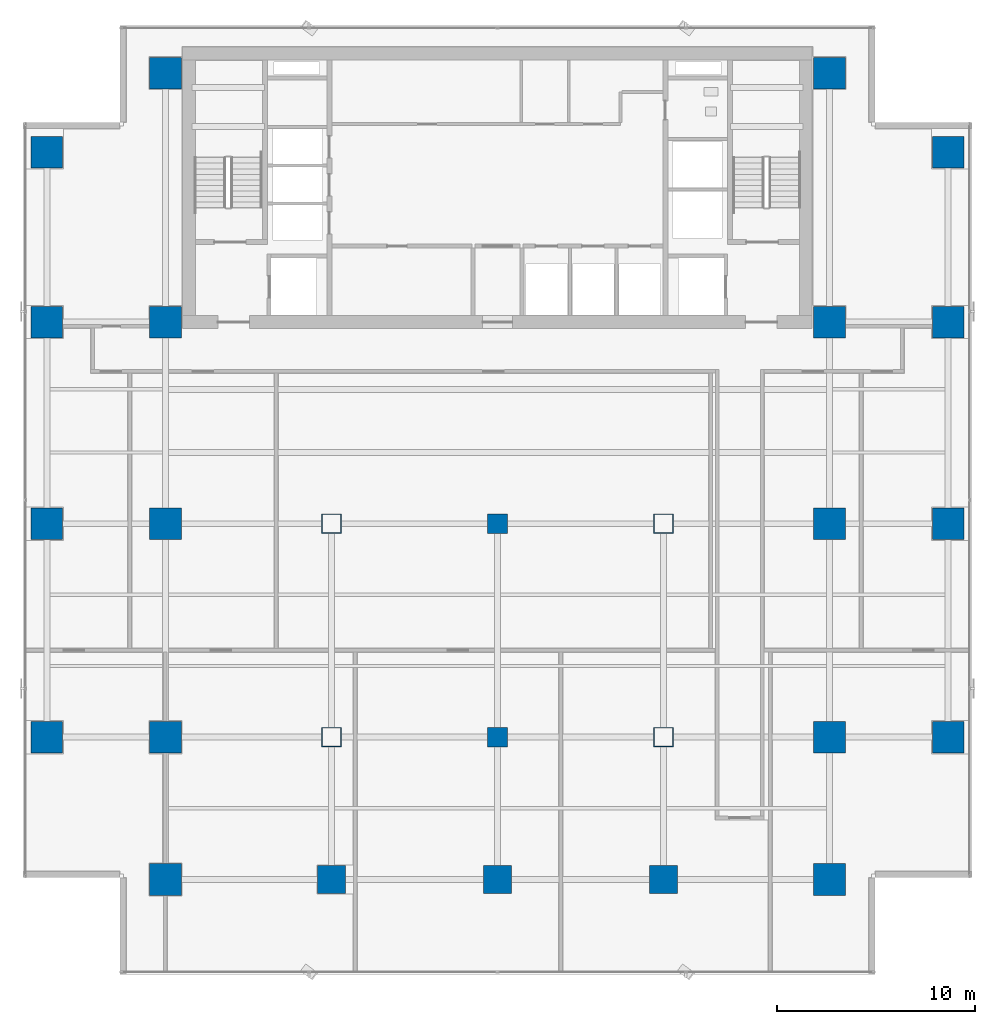
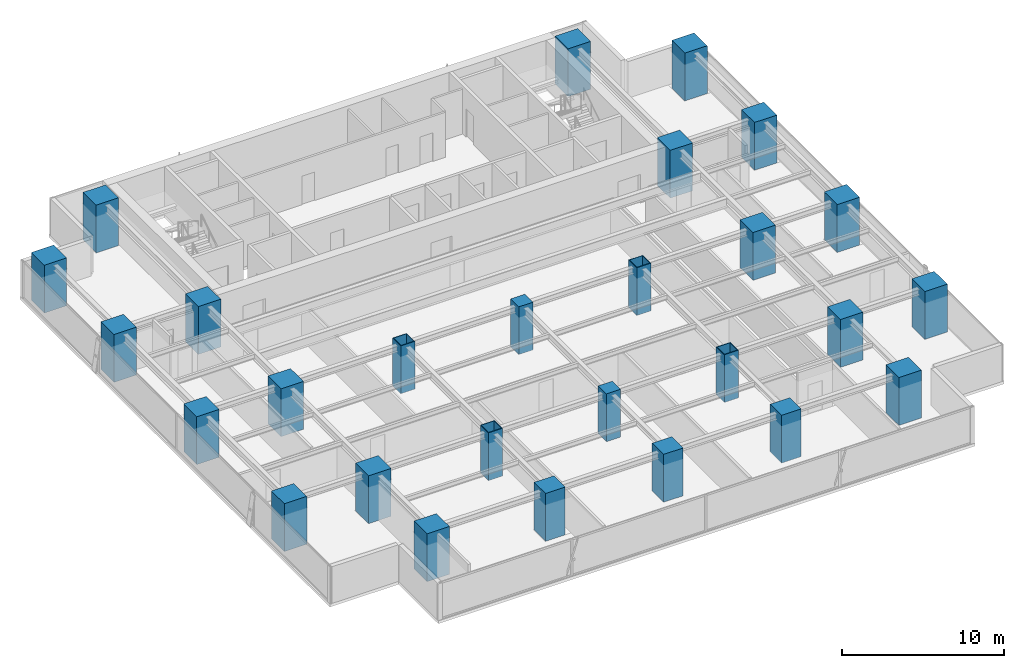
# One storey, part 1 of 28: 27 columns.
"""IFC4 building model written with IfcOpenShell, lengths in metres."""

from ifc_helpers import new_model, si_unit, direction, frame, origin, origin_2d, place, context, subcontext, project, spatial, rectangle, hollow_rectangle, extrude, source, transform, mapped, material, material_profile, profile_set, type_object, element, save


model = new_model("IFC4")

# Units and contexts
model_context = context("Model", 3, precision=1e-05, world=origin(), true_north=direction((0.0, 1.0)))
body_context = subcontext(model_context, "Body", "Model", "MODEL_VIEW")
ifc_project = project(units=[si_unit("LENGTHUNIT", "METRE"), si_unit("AREAUNIT", "SQUARE_METRE"), si_unit("VOLUMEUNIT", "CUBIC_METRE"), si_unit("PLANEANGLEUNIT", "RADIAN"), si_unit("MASSUNIT", "GRAM", prefix="KILO")], contexts=[model_context])

# Site, building, storey
site_placement = place(None, origin())
site = spatial("IfcSite", under=ifc_project, at=site_placement, CompositionType="ELEMENT")
building_placement = place(site_placement, origin())
building = spatial("IfcBuilding", under=site, at=building_placement, Name="Sumidabori Civic Tower", CompositionType="ELEMENT")
storey_placement = place(building_placement, frame((0.0, 0.0, 167.60009765625)))
storey = spatial("IfcBuildingStorey", under=building, at=storey_placement, Name="L43", CompositionType="ELEMENT", Elevation=167.60009765625)

# Columns
ifc_material_1 = material(Name="Concrete C60/75", Category="concrete")
ifc_material_profile_1 = material_profile(ifc_material_1, rectangle(XDim=1.60009765625, YDim=1.60009765625, at=origin_2d()), Name="RC 1600x1600")
ifc_profile_set_1 = profile_set([ifc_material_profile_1], Name="Concrete C60/75")
column_type_1 = type_object("IfcColumnType", Name="CL-MEGA-1600", PredefinedType="COLUMN", material=ifc_profile_set_1)
shared_shape_1 = source(origin(), body_context, "Body", "SweptSolid", [
    extrude(rectangle(XDim=1.60009765625, YDim=1.60009765625, at=origin_2d()), origin(), (0.0, 0.0, 1.0), 3.599853515625),
])
for number, where, z_axis, x_axis, name in (
    (1, (-16.800048828125, -18.0, 0.0), (0.0, 0.0, 1.0), (1.0, 0.0, 0.0), "Column MC-W16-Y18S L43"),
    (2, (-16.800048828125, -10.800048828125, 0.0), (0.0, 0.0, 1.0), (1.0, 0.0, 0.0), "Column MC-W16-Y11S L43"),
    (3, (-16.800048828125, 0.0, 0.0), (0.0, 0.0, 1.0), (1.0, 0.0, 0.0), "Column MC-W16-Y00 L43"),
    (4, (-16.800048828125, 10.199951171875, 0.0), (0.0, 0.0, 1.0), (1.0, 0.0, 0.0), "Column MC-W16-Y10N L43"),
    (5, (-16.800048828125, 22.800048828125, 0.0), (0.0, 0.0, 1.0), (1.0, 0.0, 0.0), "Column MC-W16-Y23N L43"),
    (6, (16.800048828125, -18.0, 0.0), (0.0, 0.0, 1.0), (1.0, 0.0, 0.0), "Column MC-E16-Y18S L43"),
    (7, (16.800048828125, -10.800048828125, 0.0), (0.0, 0.0, 1.0), (1.0, 0.0, 0.0), "Column MC-E16-Y11S L43"),
    (8, (16.800048828125, 0.0, 0.0), (0.0, 0.0, 1.0), (1.0, 0.0, 0.0), "Column MC-E16-Y00 L43"),
    (9, (16.800048828125, 10.199951171875, 0.0), (0.0, 0.0, 1.0), (1.0, 0.0, 0.0), "Column MC-E16-Y10N L43"),
    (10, (16.800048828125, 22.800048828125, 0.0), (0.0, 0.0, 1.0), (1.0, 0.0, 0.0), "Column MC-E16-Y23N L43"),
    (11, (-22.800048828125, -10.800048828125, 0.0), (0.0, 0.0, 1.0), (1.0, 0.0, 0.0), "Column MC-W23-Y11S L43"),
    (12, (-22.800048828125, 0.0, 0.0), (0.0, 0.0, 1.0), (1.0, 0.0, 0.0), "Column MC-W23-Y00 L43"),
    (13, (-22.800048828125, 10.199951171875, 0.0), (0.0, 0.0, 1.0), (1.0, 0.0, 0.0), "Column MC-W23-Y10N L43"),
    (14, (-22.800048828125, 18.800048828125, 0.0), (0.0, 0.0, 1.0), (1.0, 0.0, 0.0), "Column MC-W23-Y19N L43"),
    (15, (22.800048828125, -10.800048828125, 0.0), (0.0, 0.0, 1.0), (1.0, 0.0, 0.0), "Column MC-E23-Y11S L43"),
    (16, (22.800048828125, 0.0, 0.0), (0.0, 0.0, 1.0), (1.0, 0.0, 0.0), "Column MC-E23-Y00 L43"),
    (17, (22.800048828125, 10.199951171875, 0.0), (0.0, 0.0, 1.0), (1.0, 0.0, 0.0), "Column MC-E23-Y10N L43"),
    (18, (22.800048828125, 18.800048828125, 0.0), (0.0, 0.0, 1.0), (1.0, 0.0, 0.0), "Column MC-E23-Y19N L43"),
):
    element("IfcColumn", number, at=place(storey_placement, frame(where, z_axis=z_axis, x_axis=x_axis)), inside=storey, type_object=column_type_1, Name=name, PredefinedType="COLUMN", context=body_context, shape_type="MappedRepresentation", body=[
        mapped(shared_shape_1, transform((0.0, 0.0, 0.0), x_axis=(1.0, 0.0, 0.0), y_axis=(0.0, 1.0, 0.0), z_axis=(0.0, 0.0, 1.0), scale=1.0)),
    ])
ifc_material_2 = material(Name="Steel SM570", Category="steel")
ifc_material_profile_2 = material_profile(ifc_material_2, hollow_rectangle(XDim=1.0, YDim=1.0, WallThickness=0.044921875, at=origin_2d()), Name="SHS 1000x1000x45")
ifc_profile_set_2 = profile_set([ifc_material_profile_2], Name="Steel SM570")
column_type_2 = type_object("IfcColumnType", Name="CL-PORTAL-SHS1000", PredefinedType="COLUMN", material=ifc_profile_set_2)
shared_shape_2 = source(origin(), body_context, "Body", "SweptSolid", [
    extrude(hollow_rectangle(XDim=1.0, YDim=1.0, WallThickness=0.044921875, at=origin_2d()), origin(), (0.0, 0.0, 1.0), 3.599853515625),
])
for number, where, z_axis, x_axis, name in (
    (19, (-8.39990234375, 0.0, 0.0), (0.0, 0.0, 1.0), (1.0, 0.0, 0.0), "Column MC-W08-Y00 L43"),
    (20, (-8.39990234375, -10.800048828125, 0.0), (0.0, 0.0, 1.0), (1.0, 0.0, 0.0), "Column MC-W08-Y11S L43"),
    (21, (8.39990234375, 0.0, 0.0), (0.0, 0.0, 1.0), (1.0, 0.0, 0.0), "Column MC-E08-Y00 L43"),
    (22, (8.39990234375, -10.800048828125, 0.0), (0.0, 0.0, 1.0), (1.0, 0.0, 0.0), "Column MC-E08-Y11S L43"),
):
    element("IfcColumn", number, at=place(storey_placement, frame(where, z_axis=z_axis, x_axis=x_axis)), inside=storey, type_object=column_type_2, Name=name, PredefinedType="COLUMN", context=body_context, shape_type="MappedRepresentation", body=[
        mapped(shared_shape_2, transform((0.0, 0.0, 0.0), x_axis=(1.0, 0.0, 0.0), y_axis=(0.0, 1.0, 0.0), z_axis=(0.0, 0.0, 1.0), scale=1.0)),
    ])
ifc_material_profile_3 = material_profile(ifc_material_1, rectangle(XDim=1.39990234375, YDim=1.39990234375, at=origin_2d()), Name="RC 1400x1400")
ifc_profile_set_3 = profile_set([ifc_material_profile_3], Name="Concrete C60/75")
column_type_3 = type_object("IfcColumnType", Name="CL-MEGA-1400", PredefinedType="COLUMN", material=ifc_profile_set_3)
shared_shape_3 = source(origin(), body_context, "Body", "SweptSolid", [
    extrude(rectangle(XDim=1.39990234375, YDim=1.39990234375, at=origin_2d()), origin(), (0.0, 0.0, 1.0), 3.599853515625),
])
for number, where, z_axis, x_axis, name in (
    (23, (-8.39990234375, -18.0, 0.0), (0.0, 0.0, 1.0), (1.0, 0.0, 0.0), "Column MC-W08-Y18S L43"),
    (24, (8.39990234375, -18.0, 0.0), (0.0, 0.0, 1.0), (1.0, 0.0, 0.0), "Column MC-E08-Y18S L43"),
    (25, (0.0, -18.0, 0.0), (0.0, 0.0, 1.0), (1.0, 0.0, 0.0), "Column MC-C00-Y18S L43"),
):
    element("IfcColumn", number, at=place(storey_placement, frame(where, z_axis=z_axis, x_axis=x_axis)), inside=storey, type_object=column_type_3, Name=name, PredefinedType="COLUMN", context=body_context, shape_type="MappedRepresentation", body=[
        mapped(shared_shape_3, transform((0.0, 0.0, 0.0), x_axis=(1.0, 0.0, 0.0), y_axis=(0.0, 1.0, 0.0), z_axis=(0.0, 0.0, 1.0), scale=1.0)),
    ])
ifc_material_3 = material(Name="Concrete C50/60", Category="concrete")
ifc_material_profile_4 = material_profile(ifc_material_3, rectangle(XDim=1.0, YDim=1.0, at=origin_2d()), Name="RC 1000x1000")
ifc_profile_set_4 = profile_set([ifc_material_profile_4], Name="Concrete C50/60")
column_type_4 = type_object("IfcColumnType", Name="CL-INT-1000", PredefinedType="COLUMN", material=ifc_profile_set_4)
shared_shape_4 = source(origin(), body_context, "Body", "SweptSolid", [
    extrude(rectangle(XDim=1.0, YDim=1.0, at=origin_2d()), origin(), (0.0, 0.0, 1.0), 3.599853515625),
])
for number, where, z_axis, x_axis, name in (
    (26, (0.0, -10.800048828125, 0.0), (0.0, 0.0, 1.0), (1.0, 0.0, 0.0), "Column MC-C00-Y11S L43"),
    (27, (0.0, 0.0, 0.0), (0.0, 0.0, 1.0), (1.0, 0.0, 0.0), "Column MC-C00-Y00 L43"),
):
    element("IfcColumn", number, at=place(storey_placement, frame(where, z_axis=z_axis, x_axis=x_axis)), inside=storey, type_object=column_type_4, Name=name, PredefinedType="COLUMN", context=body_context, shape_type="MappedRepresentation", body=[
        mapped(shared_shape_4, transform((0.0, 0.0, 0.0), x_axis=(1.0, 0.0, 0.0), y_axis=(0.0, 1.0, 0.0), z_axis=(0.0, 0.0, 1.0), scale=1.0)),
    ])

save(model, "model.ifc")
